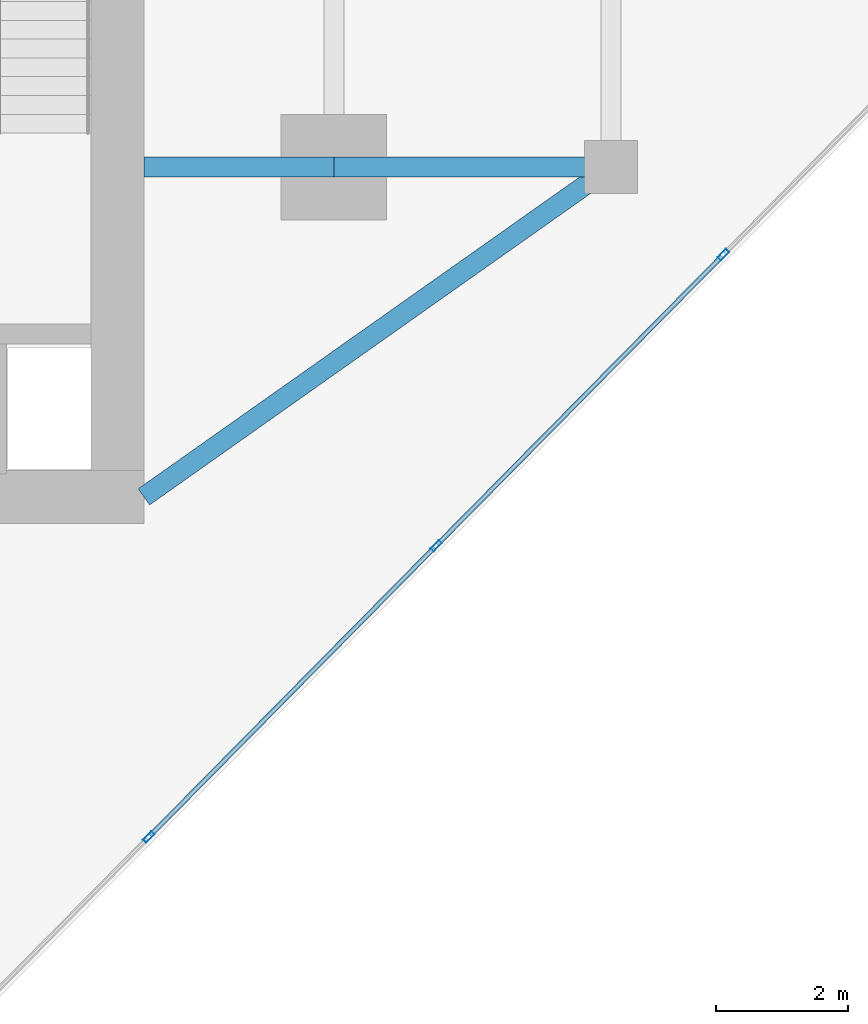
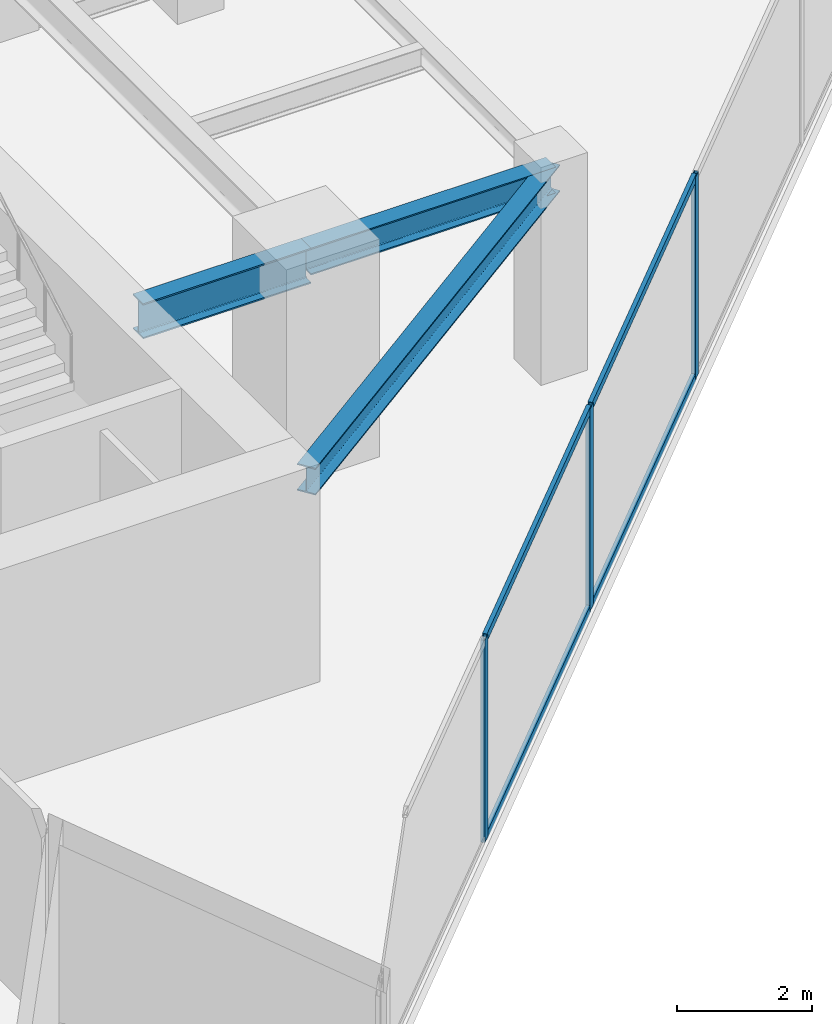
# One storey, part 9 of 24: 7 members, 3 beams, 1 element without a shape of its own.
"""IFC4 building model written with IfcOpenShell, lengths in metres."""

from ifc_helpers import new_model, si_unit, direction, frame, origin, origin_2d, place, context, subcontext, project, spatial, hollow_rectangle, i_section, extrude, source, transform, mapped, material, material_profile, profile_set, type_object, type_shapes, element, aggregate, save


model = new_model("IFC4")

# Units and contexts
model_context = context("Model", 3, precision=1e-05, world=origin(), true_north=direction((0.0, 1.0)))
body_context = subcontext(model_context, "Body", "Model", "MODEL_VIEW")
ifc_project = project(units=[si_unit("LENGTHUNIT", "METRE"), si_unit("AREAUNIT", "SQUARE_METRE"), si_unit("VOLUMEUNIT", "CUBIC_METRE"), si_unit("PLANEANGLEUNIT", "RADIAN"), si_unit("MASSUNIT", "GRAM", prefix="KILO")], contexts=[model_context])

# Site, building, storey
site_placement = place(None, origin())
site = spatial("IfcSite", under=ifc_project, at=site_placement, CompositionType="ELEMENT")
building_placement = place(site_placement, origin())
building = spatial("IfcBuilding", under=site, at=building_placement, Name="Krantzveldt Concourse Tower", CompositionType="ELEMENT")
storey_placement = place(building_placement, frame((0.0, 0.0, 231.0)))
storey = spatial("IfcBuildingStorey", under=building, at=storey_placement, Name="L56", CompositionType="ELEMENT", Elevation=231.0)

# Beams
ifc_material_1 = material(Name="Steel S355JR", Category="steel")
ifc_material_profile_1 = material_profile(ifc_material_1, i_section(OverallWidth=0.300048828125, OverallDepth=0.639892578125, WebThickness=0.013427734375, FlangeThickness=0.02587890625, FilletRadius=0.027099609375, at=origin_2d()), Name="Steel S355JR", Category="steel")
ifc_profile_set_1 = profile_set([ifc_material_profile_1], Name="Steel S355JR - HEA 650")
beam_type_1 = type_object("IfcBeamType", Name="BM-B-HEA650", PredefinedType="BEAM", material=ifc_profile_set_1)
shared_shape_1 = source(origin(), body_context, "Body", "SweptSolid", [
    extrude(i_section(OverallWidth=0.300048828125, OverallDepth=0.639892578125, WebThickness=0.013427734375, FlangeThickness=0.02587890625, FilletRadius=0.027099609375, at=origin_2d()), origin(), (0.0, 0.0, 1.0), 2.880126953125),
])
type_shapes(beam_type_1, [shared_shape_1])
beam_1_placement = place(storey_placement, frame((43.919921875, 15.89990234375, 3.35009765625), z_axis=(1.0, 0.0, 0.0), x_axis=(0.0, 1.0, 0.0)))
element("IfcBeam", 1, at=beam_1_placement, inside=storey, type_object=beam_type_1, Name="L56 Tower Girder BG-CE1", PredefinedType="BEAM", context=body_context, shape_type="MappedRepresentation", body=[
    mapped(shared_shape_1, transform((0.0, 0.0, 0.0), x_axis=(1.0, 0.0, 0.0), y_axis=(0.0, 1.0, 0.0), z_axis=(0.0, 0.0, 1.0), scale=1.0)),
])
ifc_material_profile_2 = material_profile(ifc_material_1, i_section(OverallWidth=0.300048828125, OverallDepth=0.489990234375, WebThickness=0.011962890625, FlangeThickness=0.02294921875, FilletRadius=0.027099609375, at=origin_2d()), Name="Steel S355JR", Category="steel")
ifc_profile_set_2 = profile_set([ifc_material_profile_2], Name="Steel S355JR - HEA 500")
beam_type_2 = type_object("IfcBeamType", Name="BM-B-HEA500", PredefinedType="BEAM", material=ifc_profile_set_2)
shared_shape_2 = source(origin(), body_context, "Body", "SweptSolid", [
    extrude(i_section(OverallWidth=0.300048828125, OverallDepth=0.489990234375, WebThickness=0.011962890625, FlangeThickness=0.02294921875, FilletRadius=0.027099609375, at=origin_2d()), origin(), (0.0, 0.0, 1.0), 4.199951171875),
])
beam_2_placement = place(storey_placement, frame((46.800048828125, 15.89990234375, 3.425048828125), z_axis=(1.0, 0.0, 0.0), x_axis=(0.0, 1.0, 0.0)))
element("IfcBeam", 2, at=beam_2_placement, inside=storey, type_object=beam_type_2, Name="L56 Tower Girder BR-RR1", PredefinedType="BEAM", context=body_context, shape_type="MappedRepresentation", body=[
    mapped(shared_shape_2, transform((0.0, 0.0, 0.0), x_axis=(1.0, 0.0, 0.0), y_axis=(0.0, 1.0, 0.0), z_axis=(0.0, 0.0, 1.0), scale=1.0)),
])
shared_shape_3 = source(origin(), body_context, "Body", "SweptSolid", [
    extrude(i_section(OverallWidth=0.300048828125, OverallDepth=0.489990234375, WebThickness=0.011962890625, FlangeThickness=0.02294921875, FilletRadius=0.027099609375, at=origin_2d()), origin(), (0.0, 0.0, 1.0), 8.667724609375),
])
type_shapes(beam_type_2, [shared_shape_2, shared_shape_3])
beam_3_placement = place(storey_placement, frame((51.0, 15.89990234375, 3.425048828125), z_axis=(-0.81684294656, -0.576860122261, 0.0), x_axis=(0.576860122261, -0.81684294656, 0.0)))
element("IfcBeam", 3, at=beam_3_placement, inside=storey, type_object=beam_type_2, Name="L56 Tower Girder BR-CSE", PredefinedType="BEAM", context=body_context, shape_type="MappedRepresentation", body=[
    mapped(shared_shape_3, transform((0.0, 0.0, 0.0), x_axis=(1.0, 0.0, 0.0), y_axis=(0.0, 1.0, 0.0), z_axis=(0.0, 0.0, 1.0), scale=1.0)),
])

# Curtain wall, members
ifc_material_2 = material(Name="Anodised aluminium 6063-T6", Category="aluminium")
curtain_wall_type = type_object("IfcCurtainWallType", Name="CW3", PredefinedType="USERDEFINED", material=ifc_material_2)
curtain_wall_placement = place(storey_placement, origin())
curtain_wall = element("IfcCurtainWall", 4, at=curtain_wall_placement, inside=storey, type_object=curtain_wall_type, Name="CW-L56-F07", ObjectType="UNITISED CURTAIN WALL", PredefinedType="USERDEFINED")
ifc_material_profile_3 = material_profile(ifc_material_2, hollow_rectangle(XDim=0.070068359375, YDim=0.179931640625, WallThickness=0.0048828125, at=origin_2d()), Name="Anodised aluminium 6063-T6", Category="aluminium")
ifc_profile_set_3 = profile_set([ifc_material_profile_3], Name="Anodised aluminium 6063-T6 - ALU-MULL 180x70x5")
member_type_1 = type_object("IfcMemberType", Name="CW-MUL-180", PredefinedType="MULLION", material=ifc_profile_set_3)
shared_shape_4 = source(origin(), body_context, "Body", "SweptSolid", [
    extrude(hollow_rectangle(XDim=0.070068359375, YDim=0.179931640625, WallThickness=0.0048828125, at=origin_2d()), origin(), (0.0, 0.0, 1.0), 3.669921875),
])
type_shapes(member_type_1, [shared_shape_4])
member_1_placement = place(storey_placement, frame((43.993408203125, 5.74365234375, 0.0), z_axis=(0.0, 0.0, 1.0), x_axis=(-0.711719700179, 0.702463570854, 0.0)))
member_1 = element("IfcMember", 5, at=member_1_placement, type_object=member_type_1, Name="CW-Z34 mullion 2", PredefinedType="MULLION", context=body_context, shape_type="MappedRepresentation", body=[
    mapped(shared_shape_4, transform((0.0, 0.0, 0.0), x_axis=(1.0, 0.0, 0.0), y_axis=(0.0, 1.0, 0.0), z_axis=(0.0, 0.0, 1.0), scale=1.0)),
])
member_2_placement = place(storey_placement, frame((48.3486328125, 10.156494140625, 0.0), z_axis=(0.0, 0.0, 1.0), x_axis=(-0.711719700179, 0.702463570854, 0.0)))
member_2 = element("IfcMember", 6, at=member_2_placement, type_object=member_type_1, Name="CW-Z34 mullion 3", PredefinedType="MULLION", context=body_context, shape_type="MappedRepresentation", body=[
    mapped(shared_shape_4, transform((0.0, 0.0, 0.0), x_axis=(1.0, 0.0, 0.0), y_axis=(0.0, 1.0, 0.0), z_axis=(0.0, 0.0, 1.0), scale=1.0)),
])
member_3_placement = place(storey_placement, frame((52.703857421875, 14.569091796875, 0.0), z_axis=(0.0, 0.0, 1.0), x_axis=(-0.711719700179, 0.702463570854, 0.0)))
member_3 = element("IfcMember", 7, at=member_3_placement, type_object=member_type_1, Name="CW-Z34 mullion 4", PredefinedType="MULLION", context=body_context, shape_type="MappedRepresentation", body=[
    mapped(shared_shape_4, transform((0.0, 0.0, 0.0), x_axis=(1.0, 0.0, 0.0), y_axis=(0.0, 1.0, 0.0), z_axis=(0.0, 0.0, 1.0), scale=1.0)),
])
ifc_material_profile_4 = material_profile(ifc_material_2, hollow_rectangle(XDim=0.070068359375, YDim=0.139892578125, WallThickness=0.0048828125, at=origin_2d()), Name="Anodised aluminium 6063-T6", Category="aluminium")
ifc_profile_set_4 = profile_set([ifc_material_profile_4], Name="Anodised aluminium 6063-T6 - ALU-TRAN 140x70x5")
member_type_2 = type_object("IfcMemberType", Name="CW-TRN-150", PredefinedType="USERDEFINED", material=ifc_profile_set_4)
shared_shape_5 = source(origin(), body_context, "Body", "SweptSolid", [
    extrude(hollow_rectangle(XDim=0.070068359375, YDim=0.139892578125, WallThickness=0.0048828125, at=origin_2d()), origin(), (0.0, 0.0, 1.0), 6.130126953125),
])
member_4_placement = place(storey_placement, frame((44.017822265625, 5.7685546875, 0.034912109375), z_axis=(0.702451824513, 0.711731293564, 0.0), x_axis=(-0.711731293564, 0.702451824513, 0.0)))
member_4 = element("IfcMember", 8, at=member_4_placement, type_object=member_type_2, Name="CW-Z34 transom 2.1", ObjectType="TRANSOM", PredefinedType="USERDEFINED", context=body_context, shape_type="MappedRepresentation", body=[
    mapped(shared_shape_5, transform((0.0, 0.0, 0.0), x_axis=(1.0, 0.0, 0.0), y_axis=(0.0, 1.0, 0.0), z_axis=(0.0, 0.0, 1.0), scale=1.0)),
])
member_5_placement = place(storey_placement, frame((44.017822265625, 5.7685546875, 3.635009765625), z_axis=(0.702451824513, 0.711731293564, 0.0), x_axis=(-0.711731293564, 0.702451824513, 0.0)))
member_5 = element("IfcMember", 9, at=member_5_placement, type_object=member_type_2, Name="CW-Z34 transom 2.2", ObjectType="TRANSOM", PredefinedType="USERDEFINED", context=body_context, shape_type="MappedRepresentation", body=[
    mapped(shared_shape_5, transform((0.0, 0.0, 0.0), x_axis=(1.0, 0.0, 0.0), y_axis=(0.0, 1.0, 0.0), z_axis=(0.0, 0.0, 1.0), scale=1.0)),
])
shared_shape_6 = source(origin(), body_context, "Body", "SweptSolid", [
    extrude(hollow_rectangle(XDim=0.070068359375, YDim=0.139892578125, WallThickness=0.0048828125, at=origin_2d()), origin(), (0.0, 0.0, 1.0), 6.1298828125),
])
type_shapes(member_type_2, [shared_shape_5, shared_shape_6])
member_6_placement = place(storey_placement, frame((48.373046875, 10.181396484375, 0.034912109375), z_axis=(0.702471736112, 0.71171164102, 0.0), x_axis=(-0.71171164102, 0.702471736112, 0.0)))
member_6 = element("IfcMember", 10, at=member_6_placement, type_object=member_type_2, Name="CW-Z34 transom 3.1", ObjectType="TRANSOM", PredefinedType="USERDEFINED", context=body_context, shape_type="MappedRepresentation", body=[
    mapped(shared_shape_6, transform((0.0, 0.0, 0.0), x_axis=(1.0, 0.0, 0.0), y_axis=(0.0, 1.0, 0.0), z_axis=(0.0, 0.0, 1.0), scale=1.0)),
])
member_7_placement = place(storey_placement, frame((48.373046875, 10.181396484375, 3.635009765625), z_axis=(0.702471736112, 0.71171164102, 0.0), x_axis=(-0.71171164102, 0.702471736112, 0.0)))
member_7 = element("IfcMember", 11, at=member_7_placement, type_object=member_type_2, Name="CW-Z34 transom 3.2", ObjectType="TRANSOM", PredefinedType="USERDEFINED", context=body_context, shape_type="MappedRepresentation", body=[
    mapped(shared_shape_6, transform((0.0, 0.0, 0.0), x_axis=(1.0, 0.0, 0.0), y_axis=(0.0, 1.0, 0.0), z_axis=(0.0, 0.0, 1.0), scale=1.0)),
])
aggregate(curtain_wall, [member_1, member_2, member_3, member_4, member_5, member_6, member_7])

save(model, "model.ifc")
